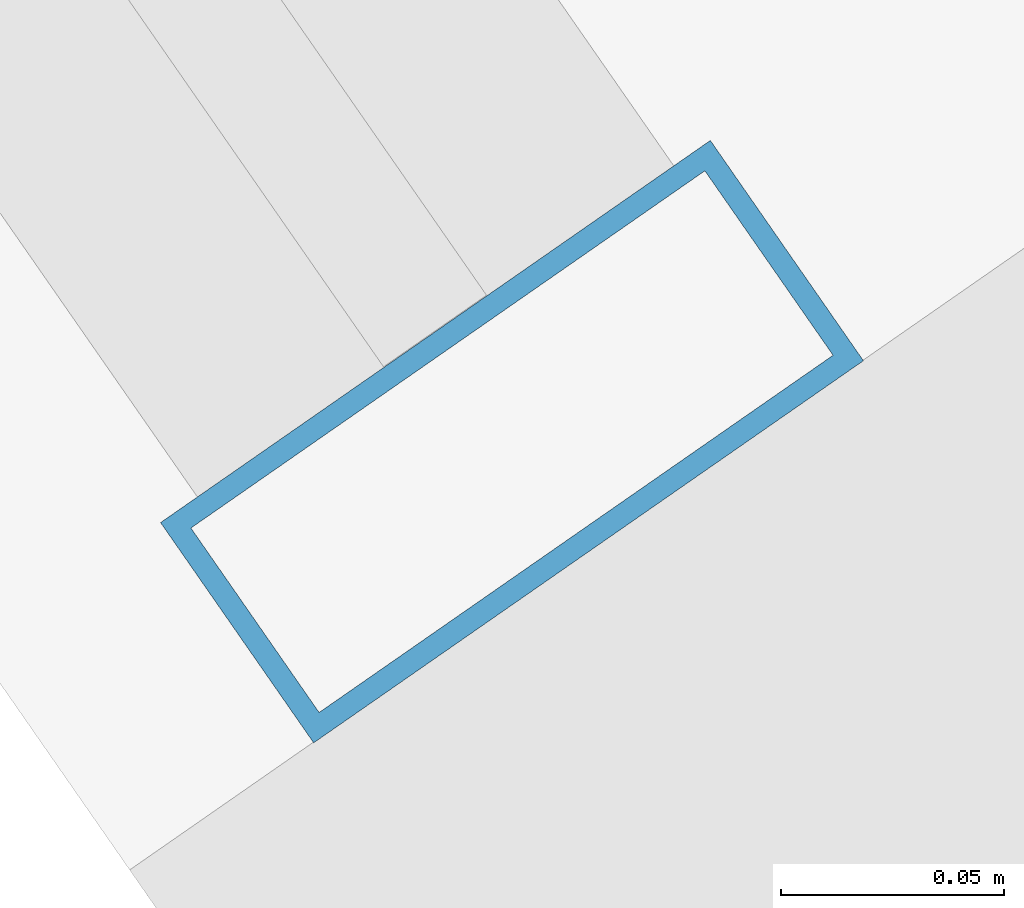
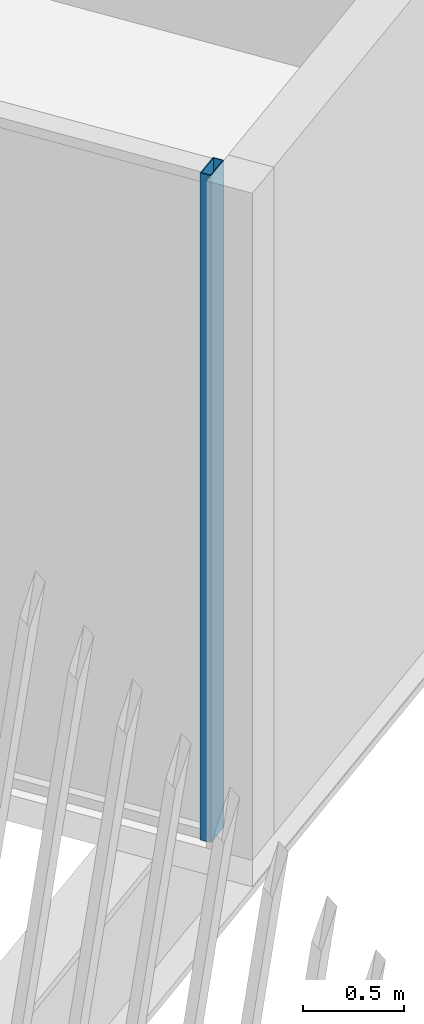
# One storey, part 8 of 33: 1 member, 1 element without a shape of its own.
"""IFC4 building model written with IfcOpenShell, lengths in metres."""

from ifc_helpers import new_model, si_unit, direction, frame, origin, origin_2d, place, context, subcontext, project, spatial, hollow_rectangle, extrude, material, layer, layer_set, material_profile, profile_set, type_object, element, aggregate, save


model = new_model("IFC4")

# Units and contexts
model_context = context("Model", 3, precision=1e-05, world=origin(), true_north=direction((0.0, 1.0)))
body_context = subcontext(model_context, "Body", "Model", "MODEL_VIEW")
ifc_project = project(units=[si_unit("LENGTHUNIT", "METRE"), si_unit("AREAUNIT", "SQUARE_METRE"), si_unit("VOLUMEUNIT", "CUBIC_METRE"), si_unit("PLANEANGLEUNIT", "RADIAN"), si_unit("MASSUNIT", "GRAM", prefix="KILO")], contexts=[model_context])

# Site, building, storey
site_placement = place(None, origin())
site = spatial("IfcSite", under=ifc_project, at=site_placement, CompositionType="ELEMENT")
building_placement = place(site_placement, origin())
building = spatial("IfcBuilding", under=site, at=building_placement, Name="Tarsis Ring Headquarters", CompositionType="ELEMENT")
storey_placement = place(building_placement, frame((0.0, 0.0, 369.199951171875)))
storey = spatial("IfcBuildingStorey", under=building, at=storey_placement, Name="L87", CompositionType="ELEMENT", Elevation=369.199951171875)

# Curtain wall, member
ifc_material_1 = material(Name="Aluminium curtain wall", Category="aluminium")
ifc_layer = layer(ifc_material_1, 0.14990234375)
ifc_layer_set = layer_set([ifc_layer], Name="Curtain wall tower unit")
curtain_wall_type = type_object("IfcCurtainWallType", Name="Curtain wall tower unit", PredefinedType="NOTDEFINED", material=ifc_layer_set)
curtain_wall_placement = place(storey_placement, origin())
curtain_wall = element("IfcCurtainWall", 1, at=curtain_wall_placement, inside=storey, type_object=curtain_wall_type, Name="Curtain wall L87-06", PredefinedType="NOTDEFINED")
ifc_material_2 = material(Name="Aluminium mullion", Category="aluminium")
ifc_material_profile = material_profile(ifc_material_2, hollow_rectangle(XDim=0.14990234375, YDim=0.06005859375, WallThickness=0.0048828125, at=origin_2d()), Name="RHS 150x60x5")
ifc_profile_set = profile_set([ifc_material_profile], Name="Aluminium mullion")
member_type = type_object("IfcMemberType", Name="Curtain wall mullion tower unit RHS 150x60x5", PredefinedType="MULLION", material=ifc_profile_set)
member_placement = place(storey_placement, frame((6.069091796875, -29.53955078125, 0.0), z_axis=(0.0, 0.0, 1.0), x_axis=(0.82114922027, 0.570713551662, 0.0)))
member = element("IfcMember", 2, at=member_placement, type_object=member_type, Name="CW-T mullion 3", PredefinedType="MULLION", context=body_context, shape_type="SweptSolid", body=[
    extrude(hollow_rectangle(XDim=0.14990234375, YDim=0.06005859375, WallThickness=0.0048828125, at=origin_2d()), origin(), (0.0, 0.0, 1.0), 4.0400390625),
])
aggregate(curtain_wall, [member])

save(model, "model.ifc")
